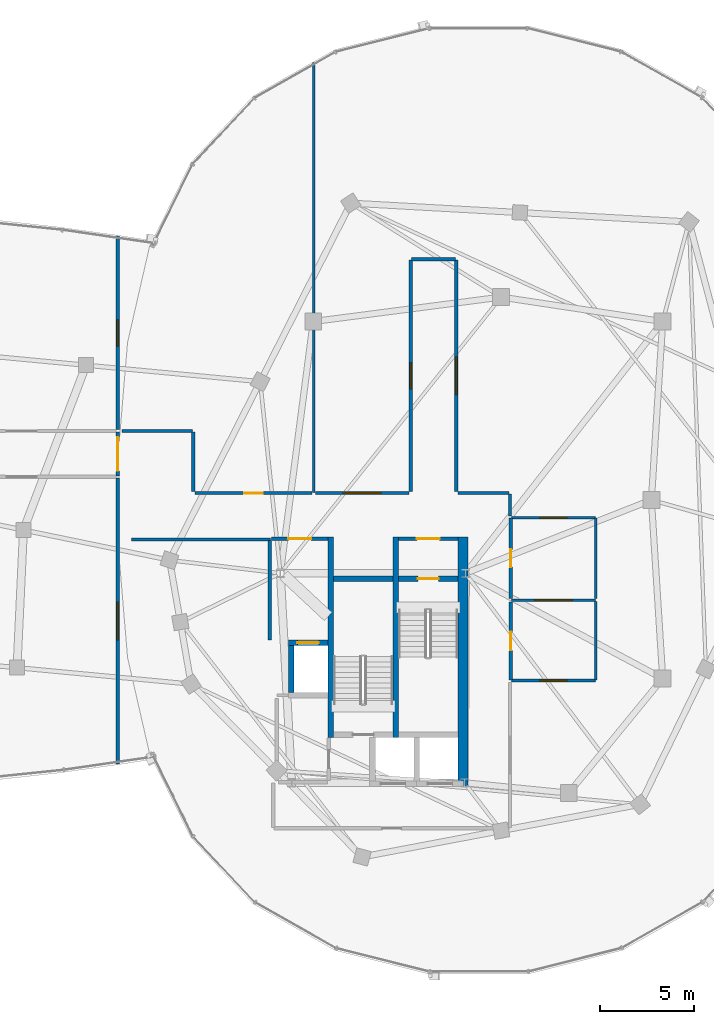
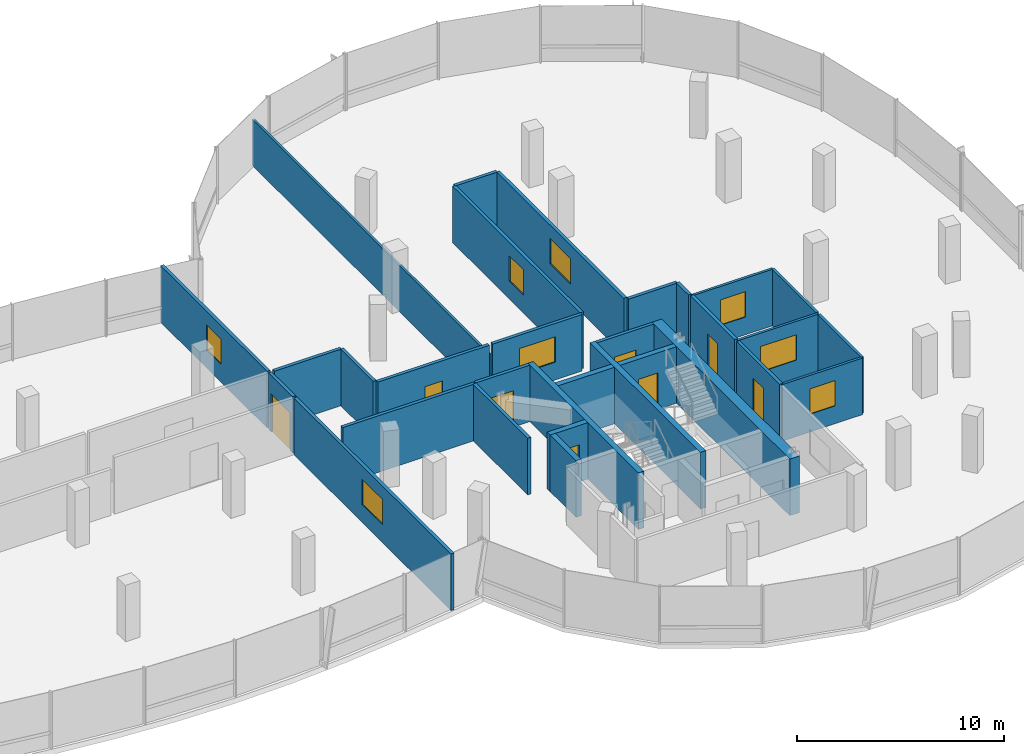
# One storey, part 16 of 25: 31 walls, 8 doors, 8 windows, 16 openings.
"""IFC4 building model written with IfcOpenShell, lengths in metres."""

from ifc_helpers import new_model, si_unit, direction, frame, frame_2d, origin, place, context, subcontext, project, spatial, rectangle, extrude, material, layer, layer_set, type_object, element, fill, save


model = new_model("IFC4")

# Units and contexts
model_context = context("Model", 3, precision=1e-05, world=origin(), true_north=direction((0.0, 1.0)))
body_context = subcontext(model_context, "Body", "Model", "MODEL_VIEW")
ifc_project = project(units=[si_unit("LENGTHUNIT", "METRE"), si_unit("AREAUNIT", "SQUARE_METRE"), si_unit("VOLUMEUNIT", "CUBIC_METRE"), si_unit("PLANEANGLEUNIT", "RADIAN"), si_unit("MASSUNIT", "GRAM", prefix="KILO"), si_unit("THERMODYNAMICTEMPERATUREUNIT", "KELVIN"), si_unit("POWERUNIT", "WATT")], contexts=[model_context])

# Site, building, storey
site_placement = place(None, origin())
site = spatial("IfcSite", under=ifc_project, at=site_placement, CompositionType="ELEMENT")
building_placement = place(site_placement, origin())
building = spatial("IfcBuilding", under=site, at=building_placement, Name="Cundina Bronze Exchange", CompositionType="ELEMENT")
storey_placement = place(building_placement, frame((0.0, 0.0, 272.0)))
storey = spatial("IfcBuildingStorey", under=building, at=storey_placement, Name="L72", CompositionType="ELEMENT", Elevation=272.0)

# Wall
ifc_material_1 = material(Name="Gypsum Fireboard Partition EI120")
ifc_layer_1 = layer(ifc_material_1, 0.179931640625, Name="Gypsum Fireboard Partition EI120")
ifc_layer_set_1 = layer_set([ifc_layer_1], Name="Gypsum Fireboard Partition EI120")
wall_type_1 = type_object("IfcWallType", Name="WL-COR-180", PredefinedType="PARTITIONING", material=ifc_layer_set_1)
wall_1_placement = place(storey_placement, frame((20.889892578125, -7.449951171875, 0.0), z_axis=(0.0, 0.0, 1.0), x_axis=(0.0, 1.0, 0.0)))
element("IfcWall", 1, at=wall_1_placement, inside=storey, type_object=wall_type_1, Name="L72 E Firefighting Lobby Side Wall", PredefinedType="PARTITIONING", context=body_context, shape_type="SweptSolid", body=[
    extrude(rectangle(XDim=5.300048828125, YDim=0.179931640625, at=frame_2d((2.64990234375, 0.0))), origin(), (0.0, 0.0, 1.0), 3.340087890625),
])

# Wall, opening, door
wall_2_placement = place(storey_placement, frame((20.97998046875, -2.06005859375, 0.0), z_axis=(0.0, 0.0, 1.0), x_axis=(1.0, 0.0, 0.0)))
wall_2 = element("IfcWall", 2, at=wall_2_placement, inside=storey, type_object=wall_type_1, Name="L72 E Firefighting Lobby Exit Wall", PredefinedType="PARTITIONING", context=body_context, shape_type="SweptSolid", body=[
    extrude(rectangle(XDim=3.0, YDim=0.179931640625, at=frame_2d((1.5, 0.0))), origin(), (0.0, 0.0, 1.0), 3.340087890625),
])
opening_1_placement = place(wall_2_placement, frame((0.89990234375, 0.0, 0.0)))
opening_1 = element("IfcOpeningElement", 3, at=opening_1_placement, cuts=wall_2, Name="Opening DF-01", PredefinedType="OPENING", context=body_context, shape_type="SweptSolid", body=[
    extrude(rectangle(XDim=1.199951171875, YDim=2.14990234375, at=frame_2d((0.60009765625, 1.074951171875))), frame((0.0, 0.099853515625, 0.0), z_axis=(0.0, -1.0, 0.0), x_axis=(1.0, 0.0, 0.0)), (0.0, 0.0, 1.0), 0.199951171875),
])
ifc_material_2 = material(Name="Steel ASTM A36 Painted", Category="steel")
door_type_1 = type_object("IfcDoorType", Name="DR-FFL-1200", OperationType="NOTDEFINED", PredefinedType="DOOR", material=ifc_material_2)
door_1_placement = place(opening_1_placement, origin())
door_1 = element("IfcDoor", 4, at=door_1_placement, inside=storey, type_object=door_type_1, Name="L72 E Firefighting Lobby Door", OperationType="SINGLE_SWING_LEFT", OverallHeight=2.14990234375, OverallWidth=1.199951171875, PredefinedType="DOOR", context=body_context, shape_type="SweptSolid", body=[
    extrude(rectangle(XDim=1.199951171875, YDim=2.14990234375, at=frame_2d((0.60009765625, 1.074951171875))), frame((0.0, 0.02490234375, 0.0), z_axis=(0.0, -1.0, 0.0), x_axis=(1.0, 0.0, 0.0)), (0.0, 0.0, 1.0), 0.050048828125),
])
fill(opening_1, door_1)

wall_3_placement = place(storey_placement, frame((27.739990234375, -2.06005859375, 0.0), z_axis=(0.0, 0.0, 1.0), x_axis=(1.0, 0.0, 0.0)))
wall_3 = element("IfcWall", 5, at=wall_3_placement, inside=storey, type_object=wall_type_1, Name="L72 E Stair Vestibule Exit Wall", PredefinedType="PARTITIONING", context=body_context, shape_type="SweptSolid", body=[
    extrude(rectangle(XDim=3.159912109375, YDim=0.179931640625, at=frame_2d((1.580078125, 0.0))), origin(), (0.0, 0.0, 1.0), 3.340087890625),
])
opening_2_placement = place(wall_3_placement, frame((0.97998046875, 0.0, 0.0)))
opening_2 = element("IfcOpeningElement", 6, at=opening_2_placement, cuts=wall_3, Name="Opening DF-01", PredefinedType="OPENING", context=body_context, shape_type="SweptSolid", body=[
    extrude(rectangle(XDim=1.199951171875, YDim=2.14990234375, at=frame_2d((0.60009765625, 1.074951171875))), frame((0.0, 0.099853515625, 0.0), z_axis=(0.0, -1.0, 0.0), x_axis=(1.0, 0.0, 0.0)), (0.0, 0.0, 1.0), 0.199951171875),
])
door_2_placement = place(opening_2_placement, origin())
door_2 = element("IfcDoor", 7, at=door_2_placement, inside=storey, type_object=door_type_1, Name="L72 E Stair Vestibule Door", OperationType="SINGLE_SWING_RIGHT", OverallHeight=2.14990234375, OverallWidth=1.199951171875, PredefinedType="DOOR", context=body_context, shape_type="SweptSolid", body=[
    extrude(rectangle(XDim=1.199951171875, YDim=2.14990234375, at=frame_2d((0.60009765625, 1.074951171875))), frame((0.0, 0.02490234375, 0.0), z_axis=(0.0, -1.0, 0.0), x_axis=(1.0, 0.0, 0.0)), (0.0, 0.0, 1.0), 0.050048828125),
])
fill(opening_2, door_2)

wall_4_placement = place(storey_placement, frame((33.719970703125, -5.22998046875, 0.0), z_axis=(0.0, 0.0, 1.0), x_axis=(0.0, 1.0, 0.0)))
wall_4 = element("IfcWall", 8, at=wall_4_placement, inside=storey, type_object=wall_type_1, Name="L72 Interior Partition 036", PredefinedType="PARTITIONING", context=body_context, shape_type="SweptSolid", body=[
    extrude(rectangle(XDim=4.260009765625, YDim=0.179931640625, at=frame_2d((2.1298828125, 0.0))), origin(), (0.0, 0.0, 1.0), 3.340087890625),
])
opening_3_placement = place(wall_4_placement, frame((1.655029296875, 0.0, 0.0)))
opening_3 = element("IfcOpeningElement", 9, at=opening_3_placement, cuts=wall_4, Name="Opening DW-01", PredefinedType="OPENING", context=body_context, shape_type="SweptSolid", body=[
    extrude(rectangle(XDim=0.949951171875, YDim=2.10009765625, at=frame_2d((0.47509765625, 1.050048828125))), frame((0.0, 0.099853515625, 0.0), z_axis=(0.0, -1.0, 0.0), x_axis=(1.0, 0.0, 0.0)), (0.0, 0.0, 1.0), 0.199951171875),
])
ifc_material_3 = material(Name="Solid Andean Oak Timber Grade A", Category="wood")
door_type_2 = type_object("IfcDoorType", Name="DR-WC-950", OperationType="NOTDEFINED", PredefinedType="DOOR", material=ifc_material_3)
door_3_placement = place(opening_3_placement, origin())
door_3 = element("IfcDoor", 10, at=door_3_placement, inside=storey, type_object=door_type_2, Name="L72 Interior Door 036", OperationType="SINGLE_SWING_RIGHT", OverallHeight=2.10009765625, OverallWidth=0.949951171875, PredefinedType="DOOR", context=body_context, shape_type="SweptSolid", body=[
    extrude(rectangle(XDim=0.949951171875, YDim=2.10009765625, at=frame_2d((0.47509765625, 1.050048828125))), frame((0.0, 0.02490234375, 0.0), z_axis=(0.0, -1.0, 0.0), x_axis=(1.0, 0.0, 0.0)), (0.0, 0.0, 1.0), 0.050048828125),
])
fill(opening_3, door_3)

wall_5_placement = place(storey_placement, frame((33.719970703125, -9.590087890625, 0.0), z_axis=(0.0, 0.0, 1.0), x_axis=(0.0, 1.0, 0.0)))
wall_5 = element("IfcWall", 11, at=wall_5_placement, inside=storey, type_object=wall_type_1, Name="L72 Interior Partition 037", PredefinedType="PARTITIONING", context=body_context, shape_type="SweptSolid", body=[
    extrude(rectangle(XDim=4.16015625, YDim=0.179931640625, at=frame_2d((2.080078125, 0.0))), origin(), (0.0, 0.0, 1.0), 3.340087890625),
])
opening_4_placement = place(wall_5_placement, frame((1.580078125, 0.0, 0.0)))
opening_4 = element("IfcOpeningElement", 12, at=opening_4_placement, cuts=wall_5, Name="Opening DO-01", PredefinedType="OPENING", context=body_context, shape_type="SweptSolid", body=[
    extrude(rectangle(XDim=1.0, YDim=2.14990234375, at=frame_2d((0.5, 1.074951171875))), frame((0.0, 0.099853515625, 0.0), z_axis=(0.0, -1.0, 0.0), x_axis=(1.0, 0.0, 0.0)), (0.0, 0.0, 1.0), 0.199951171875),
])
door_type_3 = type_object("IfcDoorType", Name="DR-OFF-1000", OperationType="NOTDEFINED", PredefinedType="DOOR", material=ifc_material_3)
door_4_placement = place(opening_4_placement, origin())
door_4 = element("IfcDoor", 13, at=door_4_placement, inside=storey, type_object=door_type_3, Name="L72 Interior Door 037", OperationType="SINGLE_SWING_RIGHT", OverallHeight=2.14990234375, OverallWidth=1.0, PredefinedType="DOOR", context=body_context, shape_type="SweptSolid", body=[
    extrude(rectangle(XDim=1.0, YDim=2.14990234375, at=frame_2d((0.5, 1.074951171875))), frame((0.0, 0.02490234375, 0.0), z_axis=(0.0, -1.0, 0.0), x_axis=(1.0, 0.0, 0.0)), (0.0, 0.0, 1.0), 0.050048828125),
])
fill(opening_4, door_4)

# Wall, opening, window
wall_6_placement = place(storey_placement, frame((30.820068359375, 0.449951171875, 0.0), z_axis=(0.0, 0.0, 1.0), x_axis=(0.0, 1.0, 0.0)))
wall_6 = element("IfcWall", 14, at=wall_6_placement, inside=storey, type_object=wall_type_1, Name="L72 Interior Partition 040", PredefinedType="PARTITIONING", context=body_context, shape_type="SweptSolid", body=[
    extrude(rectangle(XDim=12.32861328125, YDim=0.179931640625, at=frame_2d((6.164306640625, 0.0))), origin(), (0.0, 0.0, 1.0), 3.340087890625),
])
opening_5_placement = place(wall_6_placement, frame((5.1640625, 0.0, 1.050048828125)))
opening_5 = element("IfcOpeningElement", 15, at=opening_5_placement, cuts=wall_6, Name="Opening WI-01", PredefinedType="OPENING", context=body_context, shape_type="SweptSolid", body=[
    extrude(rectangle(XDim=2.0, YDim=1.5, at=frame_2d((1.0, 0.75))), frame((0.0, 0.099853515625, 0.0), z_axis=(0.0, -1.0, 0.0), x_axis=(1.0, 0.0, 0.0)), (0.0, 0.0, 1.0), 0.199951171875),
])
ifc_material_4 = material(Name="Clear Low-E Insulating Glass 26mm", Category="glass")
window_type_1 = type_object("IfcWindowType", Name="WN-INT-2000", PartitioningType="SINGLE_PANEL", PredefinedType="WINDOW", material=ifc_material_4)
window_1_placement = place(opening_5_placement, origin())
window_1 = element("IfcWindow", 16, at=window_1_placement, inside=storey, type_object=window_type_1, Name="L72 Interior Acoustic Vision Window 040", OverallHeight=1.5, OverallWidth=2.0, PartitioningType="SINGLE_PANEL", PredefinedType="WINDOW", context=body_context, shape_type="SweptSolid", body=[
    extrude(rectangle(XDim=2.0, YDim=1.5, at=frame_2d((1.0, 0.75))), frame((0.0, 0.030029296875, 0.0), z_axis=(0.0, -1.0, 0.0), x_axis=(1.0, 0.0, 0.0)), (0.0, 0.0, 1.0), 0.06005859375),
])
fill(opening_5, window_1)

wall_7_placement = place(storey_placement, frame((28.3798828125, 12.778564453125, 0.0), z_axis=(0.0, 0.0, 1.0), x_axis=(0.0, -1.0, 0.0)))
wall_7 = element("IfcWall", 17, at=wall_7_placement, inside=storey, type_object=wall_type_1, Name="L72 Interior Partition 041", PredefinedType="PARTITIONING", context=body_context, shape_type="SweptSolid", body=[
    extrude(rectangle(XDim=12.32861328125, YDim=0.179931640625, at=frame_2d((6.164306640625, 0.0))), origin(), (0.0, 0.0, 1.0), 3.340087890625),
])
opening_6_placement = place(wall_7_placement, frame((5.464111328125, 0.0, 1.050048828125)))
opening_6 = element("IfcOpeningElement", 18, at=opening_6_placement, cuts=wall_7, Name="Opening WI-02", PredefinedType="OPENING", context=body_context, shape_type="SweptSolid", body=[
    extrude(rectangle(XDim=1.39990234375, YDim=1.5, at=frame_2d((0.699951171875, 0.75))), frame((0.0, 0.099853515625, 0.0), z_axis=(0.0, -1.0, 0.0), x_axis=(1.0, 0.0, 0.0)), (0.0, 0.0, 1.0), 0.199951171875),
])
window_type_2 = type_object("IfcWindowType", Name="WN-INT-1400", PartitioningType="SINGLE_PANEL", PredefinedType="WINDOW", material=ifc_material_4)
window_2_placement = place(opening_6_placement, origin())
window_2 = element("IfcWindow", 19, at=window_2_placement, inside=storey, type_object=window_type_2, Name="L72 Interior Acoustic Vision Window 041", OverallHeight=1.5, OverallWidth=1.39990234375, PartitioningType="SINGLE_PANEL", PredefinedType="WINDOW", context=body_context, shape_type="SweptSolid", body=[
    extrude(rectangle(XDim=1.39990234375, YDim=1.5, at=frame_2d((0.699951171875, 0.75))), frame((0.0, 0.030029296875, 0.0), z_axis=(0.0, -1.0, 0.0), x_axis=(1.0, 0.0, 0.0)), (0.0, 0.0, 1.0), 0.06005859375),
])
fill(opening_6, window_2)

# Wall
wall_8_placement = place(storey_placement, frame((13.521484375, -2.10009765625, 0.0), z_axis=(0.0, 0.0, 1.0), x_axis=(1.0, 0.0, 0.0)))
element("IfcWall", 20, at=wall_8_placement, inside=storey, type_object=wall_type_1, Name="L72 Interior Partition 043", PredefinedType="PARTITIONING", context=body_context, shape_type="SweptSolid", body=[
    extrude(rectangle(XDim=7.3984375, YDim=0.179931640625, at=frame_2d((3.69921875, 0.0))), origin(), (0.0, 0.0, 1.0), 3.340087890625),
])

# Wall, opening, window
wall_9_placement = place(storey_placement, frame((28.300048828125, 0.3701171875, 0.0), z_axis=(0.0, 0.0, 1.0), x_axis=(-1.0, 0.0, 0.0)))
wall_9 = element("IfcWall", 21, at=wall_9_placement, inside=storey, type_object=wall_type_1, Name="L72 Interior Partition 044", PredefinedType="PARTITIONING", context=body_context, shape_type="SweptSolid", body=[
    extrude(rectangle(XDim=4.989990234375, YDim=0.179931640625, at=frame_2d((2.4951171875, 0.0))), origin(), (0.0, 0.0, 1.0), 3.340087890625),
])
opening_7_placement = place(wall_9_placement, frame((1.4951171875, 0.0, 1.050048828125)))
opening_7 = element("IfcOpeningElement", 22, at=opening_7_placement, cuts=wall_9, Name="Opening WI-01", PredefinedType="OPENING", context=body_context, shape_type="SweptSolid", body=[
    extrude(rectangle(XDim=2.0, YDim=1.5, at=frame_2d((1.0, 0.75))), frame((0.0, 0.099853515625, 0.0), z_axis=(0.0, -1.0, 0.0), x_axis=(1.0, 0.0, 0.0)), (0.0, 0.0, 1.0), 0.199951171875),
])
window_3_placement = place(opening_7_placement, origin())
window_3 = element("IfcWindow", 23, at=window_3_placement, inside=storey, type_object=window_type_1, Name="L72 Interior Acoustic Vision Window 044", OverallHeight=1.5, OverallWidth=2.0, PartitioningType="SINGLE_PANEL", PredefinedType="WINDOW", context=body_context, shape_type="SweptSolid", body=[
    extrude(rectangle(XDim=2.0, YDim=1.5, at=frame_2d((1.0, 0.75))), frame((0.0, 0.030029296875, 0.0), z_axis=(0.0, -1.0, 0.0), x_axis=(1.0, 0.0, 0.0)), (0.0, 0.0, 1.0), 0.06005859375),
])
fill(opening_7, window_3)

# Walls
wall_10_placement = place(storey_placement, frame((33.62841796875, 0.3701171875, 0.0), z_axis=(0.0, 0.0, 1.0), x_axis=(-1.0, 0.0, 0.0)))
element("IfcWall", 24, at=wall_10_placement, inside=storey, type_object=wall_type_1, Name="L72 Interior Partition 045", PredefinedType="PARTITIONING", context=body_context, shape_type="SweptSolid", body=[
    extrude(rectangle(XDim=2.728515625, YDim=0.179931640625, at=frame_2d((1.3642578125, 0.0))), origin(), (0.0, 0.0, 1.0), 3.340087890625),
])
wall_11_placement = place(storey_placement, frame((30.778564453125, 12.820068359375, 0.0), z_axis=(0.0, 0.0, 1.0), x_axis=(-1.0, 0.0, 0.0)))
element("IfcWall", 25, at=wall_11_placement, inside=storey, type_object=wall_type_1, Name="L72 Interior Partition 046", PredefinedType="PARTITIONING", context=body_context, shape_type="SweptSolid", body=[
    extrude(rectangle(XDim=2.357177734375, YDim=0.179931640625, at=frame_2d((1.1787109375, 0.0))), origin(), (0.0, 0.0, 1.0), 3.340087890625),
])
wall_12_placement = place(storey_placement, frame((33.669921875, -0.858642578125, 0.0), z_axis=(0.0, 0.0, 1.0), x_axis=(0.0, 1.0, 0.0)))
element("IfcWall", 26, at=wall_12_placement, inside=storey, type_object=wall_type_1, Name="L72 Interior Partition 048", PredefinedType="PARTITIONING", context=body_context, shape_type="SweptSolid", body=[
    extrude(rectangle(XDim=1.187255859375, YDim=0.179931640625, at=frame_2d((0.59375, 0.0))), origin(), (0.0, 0.0, 1.0), 3.340087890625),
])

# Wall, opening, door
wall_13_placement = place(storey_placement, frame((23.1298828125, 0.3701171875, 0.0), z_axis=(0.0, 0.0, 1.0), x_axis=(-1.0, 0.0, 0.0)))
wall_13 = element("IfcWall", 27, at=wall_13_placement, inside=storey, type_object=wall_type_1, Name="L72 Interior Partition 049", PredefinedType="PARTITIONING", context=body_context, shape_type="SweptSolid", body=[
    extrude(rectangle(XDim=6.22998046875, YDim=0.179931640625, at=frame_2d((3.114990234375, 0.0))), origin(), (0.0, 0.0, 1.0), 3.340087890625),
])
opening_8_placement = place(wall_13_placement, frame((2.614990234375, 0.0, 0.0)))
opening_8 = element("IfcOpeningElement", 28, at=opening_8_placement, cuts=wall_13, Name="Opening DO-01", PredefinedType="OPENING", context=body_context, shape_type="SweptSolid", body=[
    extrude(rectangle(XDim=1.0, YDim=2.14990234375, at=frame_2d((0.5, 1.074951171875))), frame((0.0, 0.099853515625, 0.0), z_axis=(0.0, -1.0, 0.0), x_axis=(1.0, 0.0, 0.0)), (0.0, 0.0, 1.0), 0.199951171875),
])
door_5_placement = place(opening_8_placement, origin())
door_5 = element("IfcDoor", 29, at=door_5_placement, inside=storey, type_object=door_type_3, Name="L72 Interior Door 049", OperationType="SINGLE_SWING_RIGHT", OverallHeight=2.14990234375, OverallWidth=1.0, PredefinedType="DOOR", context=body_context, shape_type="SweptSolid", body=[
    extrude(rectangle(XDim=1.0, YDim=2.14990234375, at=frame_2d((0.5, 1.074951171875))), frame((0.0, 0.02490234375, 0.0), z_axis=(0.0, -1.0, 0.0), x_axis=(1.0, 0.0, 0.0)), (0.0, 0.0, 1.0), 0.050048828125),
])
fill(opening_8, door_5)

# Walls
wall_14_placement = place(storey_placement, frame((16.778564453125, 3.669921875, 0.0), z_axis=(0.0, 0.0, 1.0), x_axis=(-1.0, 0.0, 0.0)))
element("IfcWall", 30, at=wall_14_placement, inside=storey, type_object=wall_type_1, Name="L72 Interior Partition 050", PredefinedType="PARTITIONING", context=body_context, shape_type="SweptSolid", body=[
    extrude(rectangle(XDim=3.7529296875, YDim=0.179931640625, at=frame_2d((1.87646484375, 0.0))), origin(), (0.0, 0.0, 1.0), 3.340087890625),
])
wall_15_placement = place(storey_placement, frame((16.820068359375, 0.449951171875, 0.0), z_axis=(0.0, 0.0, 1.0), x_axis=(0.0, 1.0, 0.0)))
element("IfcWall", 31, at=wall_15_placement, inside=storey, type_object=wall_type_1, Name="L72 Interior Partition 051", PredefinedType="PARTITIONING", context=body_context, shape_type="SweptSolid", body=[
    extrude(rectangle(XDim=3.178466796875, YDim=0.179931640625, at=frame_2d((1.58935546875, 0.0))), origin(), (0.0, 0.0, 1.0), 3.340087890625),
])

# Wall, opening, window
wall_16_placement = place(storey_placement, frame((12.800048828125, -14.043701171875, 0.0), z_axis=(0.0, 0.0, 1.0), x_axis=(0.0, 1.0, 0.0)))
wall_16 = element("IfcWall", 32, at=wall_16_placement, inside=storey, type_object=wall_type_1, Name="L72 Interior Partition 060", PredefinedType="PARTITIONING", context=body_context, shape_type="SweptSolid", body=[
    extrude(rectangle(XDim=15.20361328125, YDim=0.179931640625, at=frame_2d((7.601806640625, 0.0))), origin(), (0.0, 0.0, 1.0), 3.340087890625),
])
opening_9_placement = place(wall_16_placement, frame((6.60205078125, 0.0, 1.050048828125)))
opening_9 = element("IfcOpeningElement", 33, at=opening_9_placement, cuts=wall_16, Name="Opening WI-01", PredefinedType="OPENING", context=body_context, shape_type="SweptSolid", body=[
    extrude(rectangle(XDim=2.0, YDim=1.5, at=frame_2d((1.0, 0.75))), frame((0.0, 0.099853515625, 0.0), z_axis=(0.0, -1.0, 0.0), x_axis=(1.0, 0.0, 0.0)), (0.0, 0.0, 1.0), 0.199951171875),
])
window_4_placement = place(opening_9_placement, origin())
window_4 = element("IfcWindow", 34, at=window_4_placement, inside=storey, type_object=window_type_1, Name="L72 Interior Acoustic Vision Window 060", OverallHeight=1.5, OverallWidth=2.0, PartitioningType="SINGLE_PANEL", PredefinedType="WINDOW", context=body_context, shape_type="SweptSolid", body=[
    extrude(rectangle(XDim=2.0, YDim=1.5, at=frame_2d((1.0, 0.75))), frame((0.0, 0.030029296875, 0.0), z_axis=(0.0, -1.0, 0.0), x_axis=(1.0, 0.0, 0.0)), (0.0, 0.0, 1.0), 0.06005859375),
])
fill(opening_9, window_4)

wall_17_placement = place(storey_placement, frame((12.800048828125, 3.739990234375, 0.0), z_axis=(0.0, 0.0, 1.0), x_axis=(0.0, 1.0, 0.0)))
wall_17 = element("IfcWall", 35, at=wall_17_placement, inside=storey, type_object=wall_type_1, Name="L72 Interior Partition 061", PredefinedType="PARTITIONING", context=body_context, shape_type="SweptSolid", body=[
    extrude(rectangle(XDim=10.3037109375, YDim=0.179931640625, at=frame_2d((5.15185546875, 0.0))), origin(), (0.0, 0.0, 1.0), 3.340087890625),
])
opening_10_placement = place(wall_17_placement, frame((4.451904296875, 0.0, 1.050048828125)))
opening_10 = element("IfcOpeningElement", 36, at=opening_10_placement, cuts=wall_17, Name="Opening WI-02", PredefinedType="OPENING", context=body_context, shape_type="SweptSolid", body=[
    extrude(rectangle(XDim=1.39990234375, YDim=1.5, at=frame_2d((0.699951171875, 0.75))), frame((0.0, 0.099853515625, 0.0), z_axis=(0.0, -1.0, 0.0), x_axis=(1.0, 0.0, 0.0)), (0.0, 0.0, 1.0), 0.199951171875),
])
window_5_placement = place(opening_10_placement, origin())
window_5 = element("IfcWindow", 37, at=window_5_placement, inside=storey, type_object=window_type_2, Name="L72 Interior Acoustic Vision Window 061", OverallHeight=1.5, OverallWidth=1.39990234375, PartitioningType="SINGLE_PANEL", PredefinedType="WINDOW", context=body_context, shape_type="SweptSolid", body=[
    extrude(rectangle(XDim=1.39990234375, YDim=1.5, at=frame_2d((0.699951171875, 0.75))), frame((0.0, 0.030029296875, 0.0), z_axis=(0.0, -1.0, 0.0), x_axis=(1.0, 0.0, 0.0)), (0.0, 0.0, 1.0), 0.06005859375),
])
fill(opening_10, window_5)

# Wall, opening, door
wall_18_placement = place(storey_placement, frame((12.800048828125, 1.280029296875, 0.0), z_axis=(0.0, 0.0, 1.0), x_axis=(0.0, 1.0, 0.0)))
wall_18 = element("IfcWall", 38, at=wall_18_placement, inside=storey, type_object=wall_type_1, Name="L72 Interior Partition 062", PredefinedType="PARTITIONING", context=body_context, shape_type="SweptSolid", body=[
    extrude(rectangle(XDim=2.340087890625, YDim=0.179931640625, at=frame_2d((1.169921875, 0.0))), origin(), (0.0, 0.0, 1.0), 3.340087890625),
])
opening_11_placement = place(wall_18_placement, frame((0.27001953125, 0.0, 0.0)))
opening_11 = element("IfcOpeningElement", 39, at=opening_11_placement, cuts=wall_18, Name="Opening DB-01", PredefinedType="OPENING", context=body_context, shape_type="SweptSolid", body=[
    extrude(rectangle(XDim=1.800048828125, YDim=2.25, at=frame_2d((0.89990234375, 1.125))), frame((0.0, 0.099853515625, 0.0), z_axis=(0.0, -1.0, 0.0), x_axis=(1.0, 0.0, 0.0)), (0.0, 0.0, 1.0), 0.199951171875),
])
door_type_4 = type_object("IfcDoorType", Name="DR-BRG-1800", OperationType="NOTDEFINED", PredefinedType="DOOR", material=ifc_material_2)
door_6_placement = place(opening_11_placement, origin())
door_6 = element("IfcDoor", 40, at=door_6_placement, inside=storey, type_object=door_type_4, Name="L72 Interior Door 062", OperationType="DOUBLE_DOOR_SINGLE_SWING", OverallHeight=2.25, OverallWidth=1.800048828125, PredefinedType="DOOR", context=body_context, shape_type="SweptSolid", body=[
    extrude(rectangle(XDim=1.800048828125, YDim=2.25, at=frame_2d((0.89990234375, 1.125))), frame((0.0, 0.02490234375, 0.0), z_axis=(0.0, -1.0, 0.0), x_axis=(1.0, 0.0, 0.0)), (0.0, 0.0, 1.0), 0.050048828125),
])
fill(opening_11, door_6)

# Walls
ifc_material_5 = material(Name="Concrete C50/60", Category="concrete")
ifc_layer_2 = layer(ifc_material_5, 0.550048828125, Name="Concrete C50/60", Category="concrete")
ifc_layer_set_2 = layer_set([ifc_layer_2], Name="Concrete C50/60")
wall_type_2 = type_object("IfcWallType", Name="WL-CORE-550", PredefinedType="SHEAR", material=ifc_layer_set_2)
wall_19_placement = place(storey_placement, frame((31.175048828125, -15.300048828125, 0.0), z_axis=(0.0, 0.0, 1.0), x_axis=(0.0, 1.0, 0.0)))
element("IfcWall", 41, at=wall_19_placement, inside=storey, type_object=wall_type_2, Name="L72 E Primary Core Shear Spine Wall", PredefinedType="SHEAR", context=body_context, shape_type="SweptSolid", body=[
    extrude(rectangle(XDim=13.330078125, YDim=0.550048828125, at=frame_2d((6.6650390625, 0.0))), origin(), (0.0, 0.0, 1.0), 3.340087890625),
])
ifc_material_6 = material(Name="Gypsum Acoustic Partition EI60")
ifc_layer_3 = layer(ifc_material_6, 0.125, Name="Gypsum Acoustic Partition EI60")
ifc_layer_set_3 = layer_set([ifc_layer_3], Name="Gypsum Acoustic Partition EI60")
wall_type_3 = type_object("IfcWallType", Name="WL-OFF-125", PredefinedType="PARTITIONING", material=ifc_layer_set_3)
wall_20_placement = place(storey_placement, frame((23.219970703125, 0.39990234375, 0.0), z_axis=(0.0, 0.0, 1.0), x_axis=(0.0, 1.0, 0.0)))
element("IfcWall", 42, at=wall_20_placement, inside=storey, type_object=wall_type_3, Name="L72 Interior Partition 038", PredefinedType="PARTITIONING", context=body_context, shape_type="SweptSolid", body=[
    extrude(rectangle(XDim=22.880615234375, YDim=0.125, at=frame_2d((11.4404296875, 0.0))), origin(), (0.0, 0.0, 1.0), 2.72412109375),
])
ifc_layer_4 = layer(ifc_material_5, 0.300048828125, Name="Concrete C50/60", Category="concrete")
ifc_layer_set_4 = layer_set([ifc_layer_4], Name="Concrete C50/60")
wall_type_4 = type_object("IfcWallType", Name="WL-SHFT-300", PredefinedType="SHEAR", material=ifc_layer_set_4)
for number, where, z_axis, x_axis, name in (
    (43, (27.590087890625, -12.64990234375, 0.0), (0.0, 0.0, 1.0), (0.0, 1.0, 0.0), "L72 E Stair Shaft Dividing Shear Wall"),
    (44, (24.1298828125, -12.64990234375, 0.0), (0.0, 0.0, 1.0), (0.0, 1.0, 0.0), "L72 E Stair 2 East Shear Wall"),
):
    element("IfcWall", number, at=place(storey_placement, frame(where, z_axis=z_axis, x_axis=x_axis)), inside=storey, type_object=wall_type_4, Name=name, PredefinedType="SHEAR", context=body_context, shape_type="SweptSolid", body=[
        extrude(rectangle(XDim=10.679931640625, YDim=0.300048828125, at=frame_2d((5.33984375, 0.0))), origin(), (0.0, 0.0, 1.0), 3.340087890625),
    ])

# Wall, opening, door
wall_21_placement = place(storey_placement, frame((27.739990234375, -4.199951171875, 0.0), z_axis=(0.0, 0.0, 1.0), x_axis=(1.0, 0.0, 0.0)))
wall_21 = element("IfcWall", 45, at=wall_21_placement, inside=storey, type_object=wall_type_4, Name="L72 Stair E1 Landing Wall", PredefinedType="SHEAR", context=body_context, shape_type="SweptSolid", body=[
    extrude(rectangle(XDim=3.159912109375, YDim=0.300048828125, at=frame_2d((1.580078125, 0.0))), origin(), (0.0, 0.0, 1.0), 3.340087890625),
])
opening_12_placement = place(wall_21_placement, frame((1.030029296875, 0.0, 0.0)))
opening_12 = element("IfcOpeningElement", 46, at=opening_12_placement, cuts=wall_21, Name="Opening DS-01", PredefinedType="OPENING", context=body_context, shape_type="SweptSolid", body=[
    extrude(rectangle(XDim=1.10009765625, YDim=2.14990234375, at=frame_2d((0.550048828125, 1.074951171875))), frame((0.0, 0.159912109375, 0.0), z_axis=(0.0, -1.0, 0.0), x_axis=(1.0, 0.0, 0.0)), (0.0, 0.0, 1.0), 0.320068359375),
])
door_type_5 = type_object("IfcDoorType", Name="DR-STR-1100", OperationType="NOTDEFINED", PredefinedType="DOOR", material=ifc_material_2)
door_7_placement = place(opening_12_placement, origin())
door_7 = element("IfcDoor", 47, at=door_7_placement, inside=storey, type_object=door_type_5, Name="L72 Smokeproof Stair E1 Door", OperationType="SINGLE_SWING_LEFT", OverallHeight=2.14990234375, OverallWidth=1.10009765625, PredefinedType="DOOR", context=body_context, shape_type="SweptSolid", body=[
    extrude(rectangle(XDim=1.10009765625, YDim=2.14990234375, at=frame_2d((0.550048828125, 1.074951171875))), frame((0.0, 0.02490234375, 0.0), z_axis=(0.0, -1.0, 0.0), x_axis=(1.0, 0.0, 0.0)), (0.0, 0.0, 1.0), 0.050048828125),
])
fill(opening_12, door_7)

# Wall
wall_22_placement = place(storey_placement, frame((24.280029296875, -4.199951171875, 0.0), z_axis=(0.0, 0.0, 1.0), x_axis=(1.0, 0.0, 0.0)))
element("IfcWall", 48, at=wall_22_placement, inside=storey, type_object=wall_type_4, Name="L72 Stair E2 Far Shaft Wall", PredefinedType="SHEAR", context=body_context, shape_type="SweptSolid", body=[
    extrude(rectangle(XDim=3.159912109375, YDim=0.300048828125, at=frame_2d((1.580078125, 0.0))), origin(), (0.0, 0.0, 1.0), 3.340087890625),
])

# Wall, opening, door
wall_23_placement = place(storey_placement, frame((21.8798828125, -7.60009765625, 0.0), z_axis=(0.0, 0.0, 1.0), x_axis=(1.0, 0.0, 0.0)))
wall_23 = element("IfcWall", 49, at=wall_23_placement, inside=storey, type_object=wall_type_4, Name="L72 FFL-E Hoistway Front Wall", PredefinedType="SHEAR", context=body_context, shape_type="SweptSolid", body=[
    extrude(rectangle(XDim=2.10009765625, YDim=0.300048828125, at=frame_2d((1.050048828125, 0.0))), origin(), (0.0, 0.0, 1.0), 3.340087890625),
])
opening_13_placement = place(wall_23_placement, frame((0.47509765625, 0.0, 0.0)))
opening_13 = element("IfcOpeningElement", 50, at=opening_13_placement, cuts=wall_23, Name="Opening LD-01", PredefinedType="OPENING", context=body_context, shape_type="SweptSolid", body=[
    extrude(rectangle(XDim=1.14990234375, YDim=2.199951171875, at=frame_2d((0.574951171875, 1.10009765625))), frame((0.0, 0.159912109375, 0.0), z_axis=(0.0, -1.0, 0.0), x_axis=(1.0, 0.0, 0.0)), (0.0, 0.0, 1.0), 0.320068359375),
])
door_type_6 = type_object("IfcDoorType", Name="DR-LND-1150", OperationType="NOTDEFINED", PredefinedType="TRAPDOOR", material=ifc_material_2)
door_8_placement = place(opening_13_placement, origin())
door_8 = element("IfcDoor", 51, at=door_8_placement, inside=storey, type_object=door_type_6, Name="L72 FFL-E Sliding Landing Door", OperationType="SLIDING_TO_LEFT", OverallHeight=2.199951171875, OverallWidth=1.14990234375, PredefinedType="TRAPDOOR", context=body_context, shape_type="SweptSolid", body=[
    extrude(rectangle(XDim=1.14990234375, YDim=2.199951171875, at=frame_2d((0.574951171875, 1.10009765625))), frame((0.0, 0.02490234375, 0.0), z_axis=(0.0, -1.0, 0.0), x_axis=(1.0, 0.0, 0.0)), (0.0, 0.0, 1.0), 0.050048828125),
])
fill(opening_13, door_8)

# Walls
wall_24_placement = place(storey_placement, frame((22.030029296875, -10.25, 0.0), z_axis=(0.0, 0.0, 1.0), x_axis=(0.0, 1.0, 0.0)))
element("IfcWall", 52, at=wall_24_placement, inside=storey, type_object=wall_type_4, Name="L72 FFL-E Hoistway Side Wall", PredefinedType="SHEAR", context=body_context, shape_type="SweptSolid", body=[
    extrude(rectangle(XDim=2.5, YDim=0.300048828125, at=frame_2d((1.25, 0.0))), origin(), (0.0, 0.0, 1.0), 3.340087890625),
])
ifc_material_7 = material(Name="Moisture-Resistant Masonry Block Grade M15", Category="masonry")
ifc_layer_5 = layer(ifc_material_7, 0.139892578125, Name="Moisture-Resistant Masonry Block Grade M15", Category="masonry")
ifc_layer_set_5 = layer_set([ifc_layer_5], Name="Moisture-Resistant Masonry Block Grade M15")
wall_type_5 = type_object("IfcWallType", Name="WL-WET-140", PredefinedType="PARTITIONING", material=ifc_layer_set_5)
wall_25_placement = place(storey_placement, frame((38.239990234375, -9.590087890625, 0.0), z_axis=(0.0, 0.0, 1.0), x_axis=(0.0, 1.0, 0.0)))
element("IfcWall", 53, at=wall_25_placement, inside=storey, type_object=wall_type_5, Name="L72 Interior Partition 031", PredefinedType="PARTITIONING", context=body_context, shape_type="SweptSolid", body=[
    extrude(rectangle(XDim=4.175048828125, YDim=0.139892578125, at=frame_2d((2.08740234375, 0.0))), origin(), (0.0, 0.0, 1.0), 3.340087890625),
])
wall_26_placement = place(storey_placement, frame((38.239990234375, -5.2451171875, 0.0), z_axis=(0.0, 0.0, 1.0), x_axis=(0.0, 1.0, 0.0)))
element("IfcWall", 54, at=wall_26_placement, inside=storey, type_object=wall_type_5, Name="L72 Interior Partition 032", PredefinedType="PARTITIONING", context=body_context, shape_type="SweptSolid", body=[
    extrude(rectangle(XDim=4.275146484375, YDim=0.139892578125, at=frame_2d((2.1376953125, 0.0))), origin(), (0.0, 0.0, 1.0), 3.340087890625),
])

# Wall, opening, window
wall_27_placement = place(storey_placement, frame((33.739990234375, -0.949951171875, 0.0), z_axis=(0.0, 0.0, 1.0), x_axis=(1.0, 0.0, 0.0)))
wall_27 = element("IfcWall", 55, at=wall_27_placement, inside=storey, type_object=wall_type_5, Name="L72 Interior Partition 033", PredefinedType="PARTITIONING", context=body_context, shape_type="SweptSolid", body=[
    extrude(rectangle(XDim=4.47998046875, YDim=0.139892578125, at=frame_2d((2.239990234375, 0.0))), origin(), (0.0, 0.0, 1.0), 3.340087890625),
])
opening_14_placement = place(wall_27_placement, frame((1.5400390625, 0.0, 1.050048828125)))
opening_14 = element("IfcOpeningElement", 56, at=opening_14_placement, cuts=wall_27, Name="Opening WI-02", PredefinedType="OPENING", context=body_context, shape_type="SweptSolid", body=[
    extrude(rectangle(XDim=1.39990234375, YDim=1.5, at=frame_2d((0.699951171875, 0.75))), frame((0.0, 0.079833984375, 0.0), z_axis=(0.0, -1.0, 0.0), x_axis=(1.0, 0.0, 0.0)), (0.0, 0.0, 1.0), 0.159912109375),
])
window_6_placement = place(opening_14_placement, origin())
window_6 = element("IfcWindow", 57, at=window_6_placement, inside=storey, type_object=window_type_2, Name="L72 Interior Acoustic Vision Window 033", OverallHeight=1.5, OverallWidth=1.39990234375, PartitioningType="SINGLE_PANEL", PredefinedType="WINDOW", context=body_context, shape_type="SweptSolid", body=[
    extrude(rectangle(XDim=1.39990234375, YDim=1.5, at=frame_2d((0.699951171875, 0.75))), frame((0.0, 0.030029296875, 0.0), z_axis=(0.0, -1.0, 0.0), x_axis=(1.0, 0.0, 0.0)), (0.0, 0.0, 1.0), 0.06005859375),
])
fill(opening_14, window_6)

wall_28_placement = place(storey_placement, frame((33.739990234375, -5.330078125, 0.0), z_axis=(0.0, 0.0, 1.0), x_axis=(1.0, 0.0, 0.0)))
wall_28 = element("IfcWall", 58, at=wall_28_placement, inside=storey, type_object=wall_type_5, Name="L72 Interior Partition 034", PredefinedType="PARTITIONING", context=body_context, shape_type="SweptSolid", body=[
    extrude(rectangle(XDim=4.47998046875, YDim=0.139892578125, at=frame_2d((2.239990234375, 0.0))), origin(), (0.0, 0.0, 1.0), 3.340087890625),
])
opening_15_placement = place(wall_28_placement, frame((1.239990234375, 0.0, 1.050048828125)))
opening_15 = element("IfcOpeningElement", 59, at=opening_15_placement, cuts=wall_28, Name="Opening WI-01", PredefinedType="OPENING", context=body_context, shape_type="SweptSolid", body=[
    extrude(rectangle(XDim=2.0, YDim=1.5, at=frame_2d((1.0, 0.75))), frame((0.0, 0.079833984375, 0.0), z_axis=(0.0, -1.0, 0.0), x_axis=(1.0, 0.0, 0.0)), (0.0, 0.0, 1.0), 0.159912109375),
])
window_7_placement = place(opening_15_placement, origin())
window_7 = element("IfcWindow", 60, at=window_7_placement, inside=storey, type_object=window_type_1, Name="L72 Interior Acoustic Vision Window 034", OverallHeight=1.5, OverallWidth=2.0, PartitioningType="SINGLE_PANEL", PredefinedType="WINDOW", context=body_context, shape_type="SweptSolid", body=[
    extrude(rectangle(XDim=2.0, YDim=1.5, at=frame_2d((1.0, 0.75))), frame((0.0, 0.030029296875, 0.0), z_axis=(0.0, -1.0, 0.0), x_axis=(1.0, 0.0, 0.0)), (0.0, 0.0, 1.0), 0.06005859375),
])
fill(opening_15, window_7)

wall_29_placement = place(storey_placement, frame((33.739990234375, -9.610107421875, 0.0), z_axis=(0.0, 0.0, 1.0), x_axis=(1.0, 0.0, 0.0)))
wall_29 = element("IfcWall", 61, at=wall_29_placement, inside=storey, type_object=wall_type_5, Name="L72 Interior Partition 035", PredefinedType="PARTITIONING", context=body_context, shape_type="SweptSolid", body=[
    extrude(rectangle(XDim=4.47998046875, YDim=0.139892578125, at=frame_2d((2.239990234375, 0.0))), origin(), (0.0, 0.0, 1.0), 3.340087890625),
])
opening_16_placement = place(wall_29_placement, frame((1.5400390625, 0.0, 1.050048828125)))
opening_16 = element("IfcOpeningElement", 62, at=opening_16_placement, cuts=wall_29, Name="Opening WI-02", PredefinedType="OPENING", context=body_context, shape_type="SweptSolid", body=[
    extrude(rectangle(XDim=1.39990234375, YDim=1.5, at=frame_2d((0.699951171875, 0.75))), frame((0.0, 0.079833984375, 0.0), z_axis=(0.0, -1.0, 0.0), x_axis=(1.0, 0.0, 0.0)), (0.0, 0.0, 1.0), 0.159912109375),
])
window_8_placement = place(opening_16_placement, origin())
window_8 = element("IfcWindow", 63, at=window_8_placement, inside=storey, type_object=window_type_2, Name="L72 Interior Acoustic Vision Window 035", OverallHeight=1.5, OverallWidth=1.39990234375, PartitioningType="SINGLE_PANEL", PredefinedType="WINDOW", context=body_context, shape_type="SweptSolid", body=[
    extrude(rectangle(XDim=1.39990234375, YDim=1.5, at=frame_2d((0.699951171875, 0.75))), frame((0.0, 0.030029296875, 0.0), z_axis=(0.0, -1.0, 0.0), x_axis=(1.0, 0.0, 0.0)), (0.0, 0.0, 1.0), 0.06005859375),
])
fill(opening_16, window_8)

save(model, "model.ifc")
